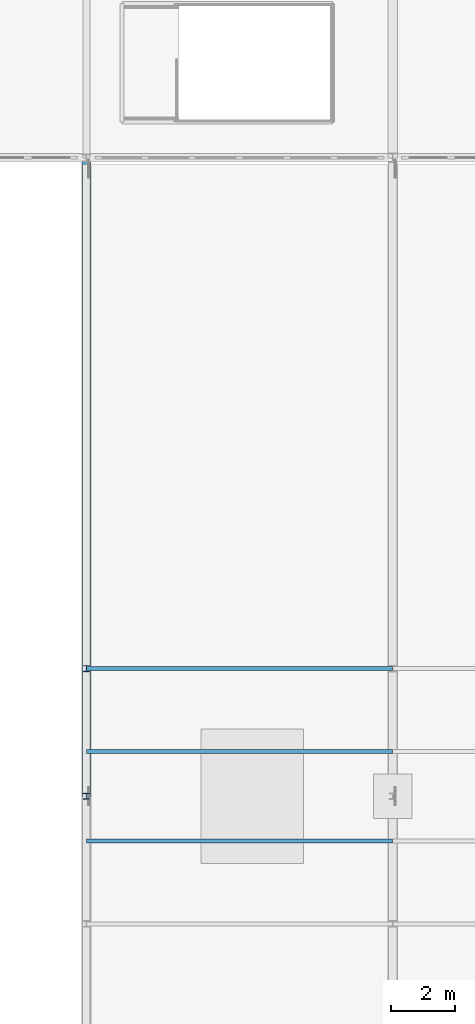
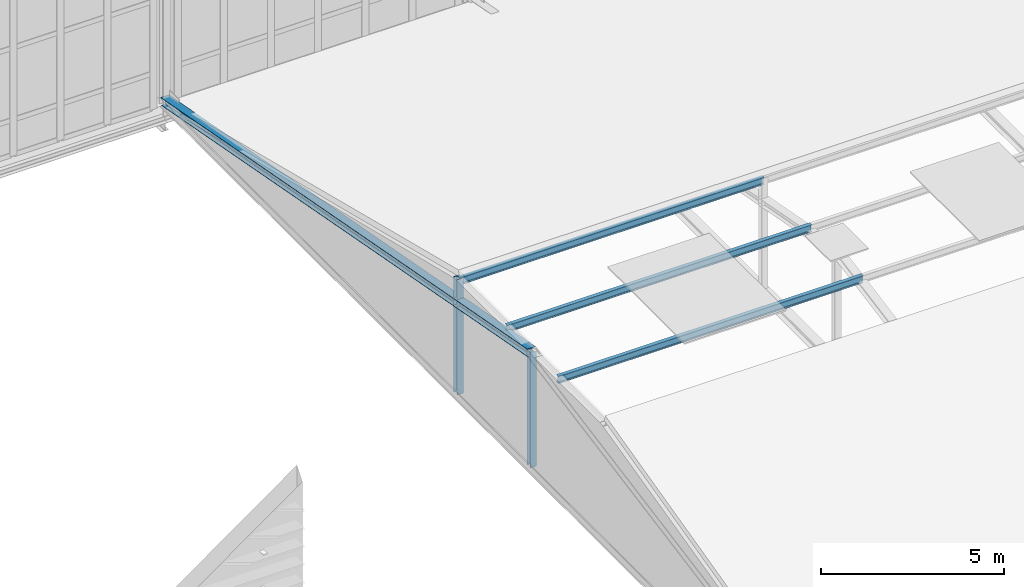
# One storey, part 24 of 73: 3 beams, 3 members.
"""IFC4 building model written with IfcOpenShell, lengths in metres."""

from ifc_helpers import new_model, si_unit, direction, frame, origin, origin_2d, place, context, subcontext, project, spatial, i_section, extrude, material, material_profile, profile_set, type_object, element, save


model = new_model("IFC4")

# Units and contexts
model_context = context("Model", 3, precision=1e-05, world=origin(), true_north=direction((0.0, 1.0)))
body_context = subcontext(model_context, "Body", "Model", "MODEL_VIEW")
ifc_project = project(units=[si_unit("LENGTHUNIT", "METRE"), si_unit("AREAUNIT", "SQUARE_METRE"), si_unit("VOLUMEUNIT", "CUBIC_METRE"), si_unit("PLANEANGLEUNIT", "RADIAN"), si_unit("MASSUNIT", "GRAM", prefix="KILO")], contexts=[model_context])

# Site, building, storey
site_placement = place(None, origin())
site = spatial("IfcSite", under=ifc_project, at=site_placement, CompositionType="ELEMENT")
building_placement = place(site_placement, origin())
building = spatial("IfcBuilding", under=site, at=building_placement, Name="Alderhovde Museum", CompositionType="ELEMENT")
storey_placement = place(building_placement, frame((0.0, 0.0, 17.39990234375)))
storey = spatial("IfcBuildingStorey", under=building, at=storey_placement, Name="L04", CompositionType="ELEMENT", Elevation=17.39990234375)

# Beams
ifc_material_1 = material(Name="Steel S355J2", Category="steel")
ifc_material_profile_1 = material_profile(ifc_material_1, i_section(OverallWidth=0.1201171875, OverallDepth=0.239990234375, WebThickness=0.006103515625, FlangeThickness=0.009765625, FilletRadius=0.014892578125, at=origin_2d()), Name="IPE 240")
ifc_profile_set_1 = profile_set([ifc_material_profile_1], Name="Steel S355J2")
beam_type = type_object("IfcBeamType", Name="BM-IPE240", PredefinedType="BEAM", material=ifc_profile_set_1)
for number, where, z_axis, x_axis, name in (
    (1, (76.800048828125, 50.60009765625, 3.840087890625), (1.0, 0.0, 0.0), (0.0, 1.0, 0.0), "Atrium Ridge Bearer Y=51"),
    (2, (76.800048828125, 53.39990234375, 3.840087890625), (1.0, 0.0, 0.0), (0.0, 1.0, 0.0), "Atrium Ridge Bearer Y=53"),
    (3, (76.800048828125, 56.0, 3.840087890625), (1.0, 0.0, 0.0), (0.0, 1.0, 0.0), "Atrium Ridge Bearer Y=56"),
):
    element("IfcBeam", number, at=place(storey_placement, frame(where, z_axis=z_axis, x_axis=x_axis)), inside=storey, type_object=beam_type, Name=name, PredefinedType="BEAM", context=body_context, shape_type="SweptSolid", body=[
        extrude(i_section(OverallWidth=0.1201171875, OverallDepth=0.239990234375, WebThickness=0.006103515625, FlangeThickness=0.009765625, FilletRadius=0.014892578125, at=origin_2d()), origin(), (0.0, 0.0, 1.0), 9.599853515625),
    ])

# Members
ifc_material_2 = material(Name="Steel S355J2", Category="steel")
ifc_material_profile_2 = material_profile(ifc_material_2, i_section(OverallWidth=0.260009765625, OverallDepth=0.25, WebThickness=0.007568359375, FlangeThickness=0.012451171875, FilletRadius=0.02392578125, at=origin_2d()), Name="HEA 260")
ifc_profile_set_2 = profile_set([ifc_material_profile_2], Name="Steel S355J2")
member_type_1 = type_object("IfcMemberType", Name="TR-CH-HEA260", PredefinedType="CHORD", material=ifc_profile_set_2)
member_placement = place(storey_placement, frame((76.800048828125, 72.0, 0.150146484375), z_axis=(0.0, -0.982872186934, 0.18428853505), x_axis=(1.0, 0.0, 0.0)))
element("IfcMember", 4, at=member_placement, inside=storey, type_object=member_type_1, Name="Atrium Truss X=76.8 North Rafter", PredefinedType="CHORD", context=body_context, shape_type="SweptSolid", body=[
    extrude(i_section(OverallWidth=0.260009765625, OverallDepth=0.25, WebThickness=0.007568359375, FlangeThickness=0.012451171875, FilletRadius=0.02392578125, at=origin_2d()), origin(), (0.0, 0.0, 1.0), 20.3486328125),
])
ifc_material_3 = material(Name="Steel S355J2", Category="steel")
ifc_material_profile_3 = material_profile(ifc_material_3, i_section(OverallWidth=0.199951171875, OverallDepth=0.18994140625, WebThickness=0.006591796875, FlangeThickness=0.010009765625, FilletRadius=0.01806640625, at=origin_2d()), Name="HEA 200")
ifc_profile_set_3 = profile_set([ifc_material_profile_3], Name="Steel S355J2")
member_type_2 = type_object("IfcMemberType", Name="TR-PS-HEA200", PredefinedType="POST", material=ifc_profile_set_3)
for number, where, z_axis, x_axis, name in (
    (5, (76.800048828125, 52.0, 0.1201171875), (0.0, 0.0, 1.0), (1.0, 0.0, 0.0), "Atrium Truss X=76.8 Post P2"),
    (6, (76.800048828125, 56.0, 0.1201171875), (0.0, 0.0, 1.0), (1.0, 0.0, 0.0), "Atrium Truss X=76.8 Post P3"),
):
    element("IfcMember", number, at=place(storey_placement, frame(where, z_axis=z_axis, x_axis=x_axis)), inside=storey, type_object=member_type_2, Name=name, PredefinedType="POST", context=body_context, shape_type="SweptSolid", body=[
        extrude(i_section(OverallWidth=0.199951171875, OverallDepth=0.18994140625, WebThickness=0.006591796875, FlangeThickness=0.010009765625, FilletRadius=0.01806640625, at=origin_2d()), origin(), (0.0, 0.0, 1.0), 3.840087890625),
    ])

save(model, "model.ifc")
